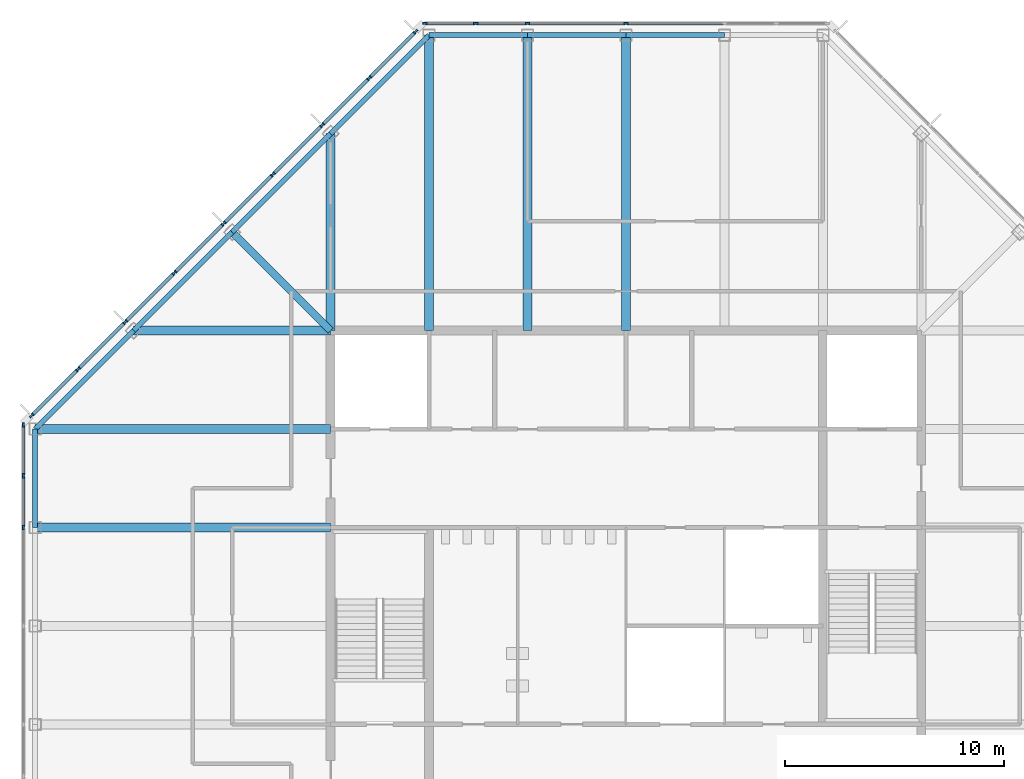
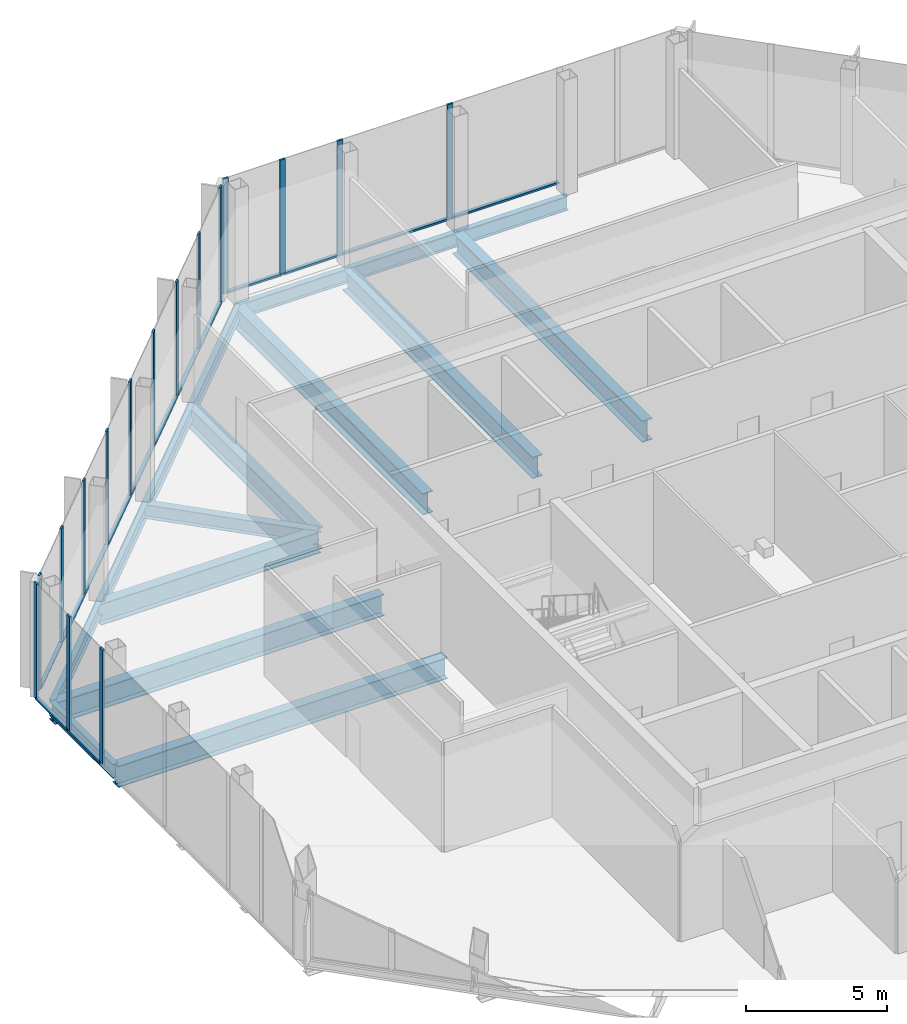
# One storey, part 4 of 11: 30 members, 16 beams, 3 elements without a shape of their own.
"""IFC4 building model written with IfcOpenShell, lengths in metres."""

from ifc_helpers import new_model, si_unit, direction, frame, origin, origin_2d, place, context, subcontext, project, spatial, rectangle, i_section, extrude, material, material_profile, profile_set, type_object, element, aggregate, save


model = new_model("IFC4")

# Units and contexts
model_context = context("Model", 3, precision=1e-05, world=origin(), true_north=direction((0.0, 1.0)))
body_context = subcontext(model_context, "Body", "Model", "MODEL_VIEW")
ifc_project = project(units=[si_unit("LENGTHUNIT", "METRE"), si_unit("AREAUNIT", "SQUARE_METRE"), si_unit("VOLUMEUNIT", "CUBIC_METRE"), si_unit("PLANEANGLEUNIT", "RADIAN"), si_unit("MASSUNIT", "GRAM", prefix="KILO")], contexts=[model_context])

# Site, building, storey
site_placement = place(None, origin())
site = spatial("IfcSite", under=ifc_project, at=site_placement, CompositionType="ELEMENT")
building_placement = place(site_placement, origin())
building = spatial("IfcBuilding", under=site, at=building_placement, Name="Corais Broadcast Tower", CompositionType="ELEMENT")
storey_placement = place(building_placement, frame((0.0, 0.0, 315.10009765625)))
storey = spatial("IfcBuildingStorey", under=building, at=storey_placement, Name="L74", CompositionType="ELEMENT", Elevation=315.10009765625)

# Beam
ifc_material_1 = material(Name="Steel ASTM A572 Grade 50", Category="steel")
ifc_material_profile_1 = material_profile(ifc_material_1, i_section(OverallWidth=0.323974609375, OverallDepth=0.611083984375, WebThickness=0.0126953125, FlangeThickness=0.01904296875, at=origin_2d()), Name="W610x155")
ifc_profile_set_1 = profile_set([ifc_material_profile_1], Name="Steel ASTM A572 Grade 50")
beam_type_1 = type_object("IfcBeamType", Name="Corner diagonal W610x155", PredefinedType="BEAM", material=ifc_profile_set_1)
beam_1_placement = place(storey_placement, frame((9.0, 45.0, -0.485595703125), z_axis=(0.707106781187, -0.707106781187, 0.0), x_axis=(0.707106781187, 0.707106781187, 0.0)))
element("IfcBeam", 1, at=beam_1_placement, inside=storey, type_object=beam_type_1, Name="B6 L/5 to K/6", PredefinedType="BEAM", context=body_context, shape_type="SweptSolid", body=[
    extrude(i_section(OverallWidth=0.323974609375, OverallDepth=0.611083984375, WebThickness=0.0126953125, FlangeThickness=0.01904296875, at=origin_2d()), origin(), (0.0, 0.0, 1.0), 6.364013671875),
])

# Curtain wall, members
ifc_material_2 = material(Name="Aluminium and glass", Category="aluminium")
curtain_wall_type = type_object("IfcCurtainWallType", Name="Event hall curtain wall CW6", PredefinedType="NOTDEFINED", material=ifc_material_2)
curtain_wall_1_placement = place(storey_placement, origin())
curtain_wall_1 = element("IfcCurtainWall", 2, at=curtain_wall_1_placement, inside=storey, type_object=curtain_wall_type, Name="CW6 curtain wall L74 2", PredefinedType="NOTDEFINED")
ifc_material_3 = material(Name="Aluminium 6063-T6", Category="aluminium")
ifc_material_profile_2 = material_profile(ifc_material_3, rectangle(XDim=0.080078125, YDim=0.219970703125, at=origin_2d()), Name="Mullion CW6 80x220")
ifc_profile_set_2 = profile_set([ifc_material_profile_2], Name="Aluminium 6063-T6")
member_type_1 = type_object("IfcMemberType", Name="Mullion CW6 80x220", PredefinedType="MULLION", material=ifc_profile_set_2)
member_1_placement = place(storey_placement, frame((-0.550048828125, 31.5, 0.0), z_axis=(0.0, 0.0, 1.0), x_axis=(-1.0, 0.0, 0.0)))
member_1 = element("IfcMember", 3, at=member_1_placement, type_object=member_type_1, Name="CW6 mullion 5", PredefinedType="MULLION", context=body_context, shape_type="SweptSolid", body=[
    extrude(rectangle(XDim=0.080078125, YDim=0.219970703125, at=origin_2d()), origin(), (0.0, 0.0, 1.0), 5.0),
])
member_2_placement = place(storey_placement, frame((-0.550048828125, 33.864013671875, 0.0), z_axis=(0.0, 0.0, 1.0), x_axis=(-1.0, 0.0, 0.0)))
member_2 = element("IfcMember", 4, at=member_2_placement, type_object=member_type_1, Name="CW6 mullion 6", PredefinedType="MULLION", context=body_context, shape_type="SweptSolid", body=[
    extrude(rectangle(XDim=0.080078125, YDim=0.219970703125, at=origin_2d()), origin(), (0.0, 0.0, 1.0), 5.0),
])
member_3_placement = place(storey_placement, frame((-0.550048828125, 36.187744140625, 0.0), z_axis=(0.0, 0.0, 1.0), x_axis=(-1.0, 0.0, 0.0)))
member_3 = element("IfcMember", 5, at=member_3_placement, type_object=member_type_1, Name="CW6 mullion 7", PredefinedType="MULLION", context=body_context, shape_type="SweptSolid", body=[
    extrude(rectangle(XDim=0.080078125, YDim=0.219970703125, at=origin_2d()), origin(), (0.0, 0.0, 1.0), 5.0),
])

curtain_wall_2_placement = place(storey_placement, origin())
curtain_wall_2 = element("IfcCurtainWall", 6, at=curtain_wall_2_placement, inside=storey, type_object=curtain_wall_type, Name="CW6 curtain wall L74 3", PredefinedType="NOTDEFINED")
member_4_placement = place(storey_placement, frame((-0.168212890625, 36.609619140625, 0.0), z_axis=(0.0, 0.0, 1.0), x_axis=(-0.707106781187, 0.707106781187, 0.0)))
member_4 = element("IfcMember", 7, at=member_4_placement, type_object=member_type_1, Name="CW6 mullion 1", PredefinedType="MULLION", context=body_context, shape_type="SweptSolid", body=[
    extrude(rectangle(XDim=0.080078125, YDim=0.219970703125, at=origin_2d()), origin(), (0.0, 0.0, 1.0), 5.0),
])
member_5_placement = place(storey_placement, frame((1.957275390625, 38.735107421875, 0.0), z_axis=(0.0, 0.0, 1.0), x_axis=(-0.707106781187, 0.707106781187, 0.0)))
member_5 = element("IfcMember", 8, at=member_5_placement, type_object=member_type_1, Name="CW6 mullion 2", PredefinedType="MULLION", context=body_context, shape_type="SweptSolid", body=[
    extrude(rectangle(XDim=0.080078125, YDim=0.219970703125, at=origin_2d()), origin(), (0.0, 0.0, 1.0), 5.0),
])
member_6_placement = place(storey_placement, frame((4.111083984375, 40.888916015625, 0.0), z_axis=(0.0, 0.0, 1.0), x_axis=(-0.707106781187, 0.707106781187, 0.0)))
member_6 = element("IfcMember", 9, at=member_6_placement, type_object=member_type_1, Name="CW6 mullion 3", PredefinedType="MULLION", context=body_context, shape_type="SweptSolid", body=[
    extrude(rectangle(XDim=0.080078125, YDim=0.219970703125, at=origin_2d()), origin(), (0.0, 0.0, 1.0), 5.0),
])
member_7_placement = place(storey_placement, frame((6.361083984375, 43.138916015625, 0.0), z_axis=(0.0, 0.0, 1.0), x_axis=(-0.707106781187, 0.707106781187, 0.0)))
member_7 = element("IfcMember", 10, at=member_7_placement, type_object=member_type_1, Name="CW6 mullion 4", PredefinedType="MULLION", context=body_context, shape_type="SweptSolid", body=[
    extrude(rectangle(XDim=0.080078125, YDim=0.219970703125, at=origin_2d()), origin(), (0.0, 0.0, 1.0), 5.0),
])
member_8_placement = place(storey_placement, frame((8.611083984375, 45.388916015625, 0.0), z_axis=(0.0, 0.0, 1.0), x_axis=(-0.707106781187, 0.707106781187, 0.0)))
member_8 = element("IfcMember", 11, at=member_8_placement, type_object=member_type_1, Name="CW6 mullion 5", PredefinedType="MULLION", context=body_context, shape_type="SweptSolid", body=[
    extrude(rectangle(XDim=0.080078125, YDim=0.219970703125, at=origin_2d()), origin(), (0.0, 0.0, 1.0), 5.0),
])
member_9_placement = place(storey_placement, frame((10.861083984375, 47.638916015625, 0.0), z_axis=(0.0, 0.0, 1.0), x_axis=(-0.707106781187, 0.707106781187, 0.0)))
member_9 = element("IfcMember", 12, at=member_9_placement, type_object=member_type_1, Name="CW6 mullion 6", PredefinedType="MULLION", context=body_context, shape_type="SweptSolid", body=[
    extrude(rectangle(XDim=0.080078125, YDim=0.219970703125, at=origin_2d()), origin(), (0.0, 0.0, 1.0), 5.0),
])
member_10_placement = place(storey_placement, frame((13.111083984375, 49.888916015625, 0.0), z_axis=(0.0, 0.0, 1.0), x_axis=(-0.707106781187, 0.707106781187, 0.0)))
member_10 = element("IfcMember", 13, at=member_10_placement, type_object=member_type_1, Name="CW6 mullion 7", PredefinedType="MULLION", context=body_context, shape_type="SweptSolid", body=[
    extrude(rectangle(XDim=0.080078125, YDim=0.219970703125, at=origin_2d()), origin(), (0.0, 0.0, 1.0), 5.0),
])
member_11_placement = place(storey_placement, frame((15.264892578125, 52.042724609375, 0.0), z_axis=(0.0, 0.0, 1.0), x_axis=(-0.707106781187, 0.707106781187, 0.0)))
member_11 = element("IfcMember", 14, at=member_11_placement, type_object=member_type_1, Name="CW6 mullion 8", PredefinedType="MULLION", context=body_context, shape_type="SweptSolid", body=[
    extrude(rectangle(XDim=0.080078125, YDim=0.219970703125, at=origin_2d()), origin(), (0.0, 0.0, 1.0), 5.0),
])
member_12_placement = place(storey_placement, frame((17.390380859375, 54.168212890625, 0.0), z_axis=(0.0, 0.0, 1.0), x_axis=(-0.707106781187, 0.707106781187, 0.0)))
member_12 = element("IfcMember", 15, at=member_12_placement, type_object=member_type_1, Name="CW6 mullion 9", PredefinedType="MULLION", context=body_context, shape_type="SweptSolid", body=[
    extrude(rectangle(XDim=0.080078125, YDim=0.219970703125, at=origin_2d()), origin(), (0.0, 0.0, 1.0), 5.0),
])

curtain_wall_3_placement = place(storey_placement, origin())
curtain_wall_3 = element("IfcCurtainWall", 16, at=curtain_wall_3_placement, inside=storey, type_object=curtain_wall_type, Name="CW6 curtain wall L74 4", PredefinedType="NOTDEFINED")
member_13_placement = place(storey_placement, frame((17.812255859375, 54.550048828125, 0.0), z_axis=(0.0, 0.0, 1.0), x_axis=(0.0, 1.0, 0.0)))
member_13 = element("IfcMember", 17, at=member_13_placement, type_object=member_type_1, Name="CW6 mullion 1", PredefinedType="MULLION", context=body_context, shape_type="SweptSolid", body=[
    extrude(rectangle(XDim=0.080078125, YDim=0.219970703125, at=origin_2d()), origin(), (0.0, 0.0, 1.0), 5.0),
])
member_14_placement = place(storey_placement, frame((20.135986328125, 54.550048828125, 0.0), z_axis=(0.0, 0.0, 1.0), x_axis=(0.0, 1.0, 0.0)))
member_14 = element("IfcMember", 18, at=member_14_placement, type_object=member_type_1, Name="CW6 mullion 2", PredefinedType="MULLION", context=body_context, shape_type="SweptSolid", body=[
    extrude(rectangle(XDim=0.080078125, YDim=0.219970703125, at=origin_2d()), origin(), (0.0, 0.0, 1.0), 5.0),
])
member_15_placement = place(storey_placement, frame((22.5, 54.550048828125, 0.0), z_axis=(0.0, 0.0, 1.0), x_axis=(0.0, 1.0, 0.0)))
member_15 = element("IfcMember", 19, at=member_15_placement, type_object=member_type_1, Name="CW6 mullion 3", PredefinedType="MULLION", context=body_context, shape_type="SweptSolid", body=[
    extrude(rectangle(XDim=0.080078125, YDim=0.219970703125, at=origin_2d()), origin(), (0.0, 0.0, 1.0), 5.0),
])
member_16_placement = place(storey_placement, frame((27.0, 54.550048828125, 0.0), z_axis=(0.0, 0.0, 1.0), x_axis=(0.0, 1.0, 0.0)))
member_16 = element("IfcMember", 20, at=member_16_placement, type_object=member_type_1, Name="CW6 mullion 4", PredefinedType="MULLION", context=body_context, shape_type="SweptSolid", body=[
    extrude(rectangle(XDim=0.080078125, YDim=0.219970703125, at=origin_2d()), origin(), (0.0, 0.0, 1.0), 5.0),
])

# Beams
ifc_material_4 = material(Name="Steel ASTM A572 Grade 50", Category="steel")
ifc_material_profile_3 = material_profile(ifc_material_4, i_section(OverallWidth=0.408935546875, OverallDepth=0.927001953125, WebThickness=0.0166015625, FlangeThickness=0.030029296875, at=origin_2d()), Name="W920x289")
ifc_profile_set_3 = profile_set([ifc_material_profile_3], Name="Steel ASTM A572 Grade 50")
beam_type_2 = type_object("IfcBeamType", Name="Refuge floor beam W920x289", PredefinedType="BEAM", material=ifc_profile_set_3)
for number, where, z_axis, x_axis, name in (
    (21, (0.0, 31.5, -0.6435546875), (1.0, 0.0, 0.0), (0.0, 1.0, 0.0), "B13 H/3 to H/6"),
    (22, (0.0, 36.0, -0.6435546875), (1.0, 0.0, 0.0), (0.0, 1.0, 0.0), "B13 J/3 to J/6"),
):
    element("IfcBeam", number, at=place(storey_placement, frame(where, z_axis=z_axis, x_axis=x_axis)), inside=storey, type_object=beam_type_2, Name=name, PredefinedType="BEAM", context=body_context, shape_type="SweptSolid", body=[
        extrude(i_section(OverallWidth=0.408935546875, OverallDepth=0.927001953125, WebThickness=0.0166015625, FlangeThickness=0.030029296875, at=origin_2d()), origin(), (0.0, 0.0, 1.0), 13.5),
    ])
beam_2_placement = place(storey_placement, frame((13.5, 49.5, -0.6435546875), z_axis=(0.0, -1.0, 0.0), x_axis=(1.0, 0.0, 0.0)))
element("IfcBeam", 23, at=beam_2_placement, inside=storey, type_object=beam_type_2, Name="B13 M/6 to K/6", PredefinedType="BEAM", context=body_context, shape_type="SweptSolid", body=[
    extrude(i_section(OverallWidth=0.408935546875, OverallDepth=0.927001953125, WebThickness=0.0166015625, FlangeThickness=0.030029296875, at=origin_2d()), origin(), (0.0, 0.0, 1.0), 9.0),
])
for number, where, z_axis, x_axis, name in (
    (24, (18.0, 54.0, -0.6435546875), (0.0, -1.0, 0.0), (1.0, 0.0, 0.0), "B13 N/7 to K/7"),
    (25, (22.5, 54.0, -0.6435546875), (0.0, -1.0, 0.0), (1.0, 0.0, 0.0), "B13 N/8 to K/8"),
    (26, (27.0, 54.0, -0.6435546875), (0.0, -1.0, 0.0), (1.0, 0.0, 0.0), "B13 N/9 to K/9"),
):
    element("IfcBeam", number, at=place(storey_placement, frame(where, z_axis=z_axis, x_axis=x_axis)), inside=storey, type_object=beam_type_2, Name=name, PredefinedType="BEAM", context=body_context, shape_type="SweptSolid", body=[
        extrude(i_section(OverallWidth=0.408935546875, OverallDepth=0.927001953125, WebThickness=0.0166015625, FlangeThickness=0.030029296875, at=origin_2d()), origin(), (0.0, 0.0, 1.0), 13.5),
    ])
beam_3_placement = place(storey_placement, frame((4.5, 40.5, -0.6435546875), z_axis=(1.0, 0.0, 0.0), x_axis=(0.0, 1.0, 0.0)))
element("IfcBeam", 27, at=beam_3_placement, inside=storey, type_object=beam_type_2, Name="B13 K/4 to K/6", PredefinedType="BEAM", context=body_context, shape_type="SweptSolid", body=[
    extrude(i_section(OverallWidth=0.408935546875, OverallDepth=0.927001953125, WebThickness=0.0166015625, FlangeThickness=0.030029296875, at=origin_2d()), origin(), (0.0, 0.0, 1.0), 9.0),
])
ifc_material_5 = material(Name="Steel ASTM A572 Grade 50", Category="steel")
ifc_material_profile_4 = material_profile(ifc_material_5, i_section(OverallWidth=0.22998046875, OverallDepth=0.616943359375, WebThickness=0.01318359375, FlangeThickness=0.022216796875, at=origin_2d()), Name="W610x140")
ifc_profile_set_4 = profile_set([ifc_material_profile_4], Name="Steel ASTM A572 Grade 50")
beam_type_3 = type_object("IfcBeamType", Name="Spandrel W610x140", PredefinedType="BEAM", material=ifc_profile_set_4)
beam_4_placement = place(storey_placement, frame((0.0, 36.0, -0.488525390625), z_axis=(0.0, -1.0, 0.0), x_axis=(1.0, 0.0, 0.0)))
element("IfcBeam", 28, at=beam_4_placement, inside=storey, type_object=beam_type_3, Name="SB3 J/3 to H/3", PredefinedType="BEAM", context=body_context, shape_type="SweptSolid", body=[
    extrude(i_section(OverallWidth=0.22998046875, OverallDepth=0.616943359375, WebThickness=0.01318359375, FlangeThickness=0.022216796875, at=origin_2d()), origin(), (0.0, 0.0, 1.0), 4.5),
])
for number, where, z_axis, x_axis, name in (
    (29, (13.5, 49.5, -0.488525390625), (-0.707106781187, -0.707106781187, 0.0), (0.707106781187, -0.707106781187, 0.0), "SB3 M/6 to L/5"),
    (30, (18.0, 54.0, -0.488525390625), (-0.707106781187, -0.707106781187, 0.0), (0.707106781187, -0.707106781187, 0.0), "SB3 N/7 to M/6"),
):
    element("IfcBeam", number, at=place(storey_placement, frame(where, z_axis=z_axis, x_axis=x_axis)), inside=storey, type_object=beam_type_3, Name=name, PredefinedType="BEAM", context=body_context, shape_type="SweptSolid", body=[
        extrude(i_section(OverallWidth=0.22998046875, OverallDepth=0.616943359375, WebThickness=0.01318359375, FlangeThickness=0.022216796875, at=origin_2d()), origin(), (0.0, 0.0, 1.0), 6.364013671875),
    ])
for number, where, z_axis, x_axis, name in (
    (31, (22.5, 54.0, -0.488525390625), (-1.0, 0.0, 0.0), (0.0, -1.0, 0.0), "SB3 N/8 to N/7"),
    (32, (27.0, 54.0, -0.488525390625), (-1.0, 0.0, 0.0), (0.0, -1.0, 0.0), "SB3 N/9 to N/8"),
    (33, (31.5, 54.0, -0.488525390625), (-1.0, 0.0, 0.0), (0.0, -1.0, 0.0), "SB3 N/10 to N/9"),
):
    element("IfcBeam", number, at=place(storey_placement, frame(where, z_axis=z_axis, x_axis=x_axis)), inside=storey, type_object=beam_type_3, Name=name, PredefinedType="BEAM", context=body_context, shape_type="SweptSolid", body=[
        extrude(i_section(OverallWidth=0.22998046875, OverallDepth=0.616943359375, WebThickness=0.01318359375, FlangeThickness=0.022216796875, at=origin_2d()), origin(), (0.0, 0.0, 1.0), 4.5),
    ])
for number, where, z_axis, x_axis, name in (
    (34, (4.5, 40.5, -0.488525390625), (-0.707106781187, -0.707106781187, 0.0), (0.707106781187, -0.707106781187, 0.0), "SB3 K/4 to J/3"),
    (35, (9.0, 45.0, -0.488525390625), (-0.707106781187, -0.707106781187, 0.0), (0.707106781187, -0.707106781187, 0.0), "SB3 L/5 to K/4"),
):
    element("IfcBeam", number, at=place(storey_placement, frame(where, z_axis=z_axis, x_axis=x_axis)), inside=storey, type_object=beam_type_3, Name=name, PredefinedType="BEAM", context=body_context, shape_type="SweptSolid", body=[
        extrude(i_section(OverallWidth=0.22998046875, OverallDepth=0.616943359375, WebThickness=0.01318359375, FlangeThickness=0.022216796875, at=origin_2d()), origin(), (0.0, 0.0, 1.0), 6.364013671875),
    ])

# Member
ifc_material_6 = material(Name="Aluminium 6063-T6", Category="aluminium")
ifc_material_profile_5 = material_profile(ifc_material_6, rectangle(XDim=0.14990234375, YDim=0.080078125, at=origin_2d()), Name="Transom CW6 80x150")
ifc_profile_set_5 = profile_set([ifc_material_profile_5], Name="Aluminium 6063-T6")
member_type_2 = type_object("IfcMemberType", Name="Transom CW6 80x150", PredefinedType="USERDEFINED", material=ifc_profile_set_5)
member_17_placement = place(storey_placement, frame((-0.550048828125, 31.5400390625, 0.039794921875), z_axis=(0.0, 1.0, 0.0), x_axis=(-1.0, 0.0, 0.0)))
member_17 = element("IfcMember", 36, at=member_17_placement, type_object=member_type_2, Name="CW6 transom 5.1", ObjectType="TRANSOM", PredefinedType="USERDEFINED", context=body_context, shape_type="SweptSolid", body=[
    extrude(rectangle(XDim=0.14990234375, YDim=0.080078125, at=origin_2d()), origin(), (0.0, 0.0, 1.0), 2.283935546875),
])

member_18_placement = place(storey_placement, frame((-0.550048828125, 33.90380859375, 0.039794921875), z_axis=(0.0, 1.0, 0.0), x_axis=(-1.0, 0.0, 0.0)))
member_18 = element("IfcMember", 37, at=member_18_placement, type_object=member_type_2, Name="CW6 transom 6.1", ObjectType="TRANSOM", PredefinedType="USERDEFINED", context=body_context, shape_type="SweptSolid", body=[
    extrude(rectangle(XDim=0.14990234375, YDim=0.080078125, at=origin_2d()), origin(), (0.0, 0.0, 1.0), 2.243896484375),
])

aggregate(curtain_wall_1, [member_1, member_2, member_3, member_17, member_18])

member_19_placement = place(storey_placement, frame((-0.139892578125, 36.637939453125, 0.039794921875), z_axis=(0.707106781187, 0.707106781187, 0.0), x_axis=(-0.707106781187, 0.707106781187, 0.0)))
member_19 = element("IfcMember", 38, at=member_19_placement, type_object=member_type_2, Name="CW6 transom 1.1", ObjectType="TRANSOM", PredefinedType="USERDEFINED", context=body_context, shape_type="SweptSolid", body=[
    extrude(rectangle(XDim=0.14990234375, YDim=0.080078125, at=origin_2d()), origin(), (0.0, 0.0, 1.0), 2.92578125),
])

member_20_placement = place(storey_placement, frame((1.985595703125, 38.763427734375, 0.039794921875), z_axis=(0.707106781187, 0.707106781187, 0.0), x_axis=(-0.707106781187, 0.707106781187, 0.0)))
member_20 = element("IfcMember", 39, at=member_20_placement, type_object=member_type_2, Name="CW6 transom 2.1", ObjectType="TRANSOM", PredefinedType="USERDEFINED", context=body_context, shape_type="SweptSolid", body=[
    extrude(rectangle(XDim=0.14990234375, YDim=0.080078125, at=origin_2d()), origin(), (0.0, 0.0, 1.0), 2.9658203125),
])

member_21_placement = place(storey_placement, frame((4.139404296875, 40.917236328125, 0.039794921875), z_axis=(0.707106781187, 0.707106781187, 0.0), x_axis=(-0.707106781187, 0.707106781187, 0.0)))
member_21 = element("IfcMember", 40, at=member_21_placement, type_object=member_type_2, Name="CW6 transom 3.1", ObjectType="TRANSOM", PredefinedType="USERDEFINED", context=body_context, shape_type="SweptSolid", body=[
    extrude(rectangle(XDim=0.14990234375, YDim=0.080078125, at=origin_2d()), origin(), (0.0, 0.0, 1.0), 3.101806640625),
])

member_22_placement = place(storey_placement, frame((6.389404296875, 43.167236328125, 0.039794921875), z_axis=(0.707106781187, 0.707106781187, 0.0), x_axis=(-0.707106781187, 0.707106781187, 0.0)))
member_22 = element("IfcMember", 41, at=member_22_placement, type_object=member_type_2, Name="CW6 transom 4.1", ObjectType="TRANSOM", PredefinedType="USERDEFINED", context=body_context, shape_type="SweptSolid", body=[
    extrude(rectangle(XDim=0.14990234375, YDim=0.080078125, at=origin_2d()), origin(), (0.0, 0.0, 1.0), 3.101806640625),
])

member_23_placement = place(storey_placement, frame((8.639404296875, 45.417236328125, 0.039794921875), z_axis=(0.707106781187, 0.707106781187, 0.0), x_axis=(-0.707106781187, 0.707106781187, 0.0)))
member_23 = element("IfcMember", 42, at=member_23_placement, type_object=member_type_2, Name="CW6 transom 5.1", ObjectType="TRANSOM", PredefinedType="USERDEFINED", context=body_context, shape_type="SweptSolid", body=[
    extrude(rectangle(XDim=0.14990234375, YDim=0.080078125, at=origin_2d()), origin(), (0.0, 0.0, 1.0), 3.101806640625),
])

member_24_placement = place(storey_placement, frame((10.889404296875, 47.667236328125, 0.039794921875), z_axis=(0.707106781187, 0.707106781187, 0.0), x_axis=(-0.707106781187, 0.707106781187, 0.0)))
member_24 = element("IfcMember", 43, at=member_24_placement, type_object=member_type_2, Name="CW6 transom 6.1", ObjectType="TRANSOM", PredefinedType="USERDEFINED", context=body_context, shape_type="SweptSolid", body=[
    extrude(rectangle(XDim=0.14990234375, YDim=0.080078125, at=origin_2d()), origin(), (0.0, 0.0, 1.0), 3.101806640625),
])

member_25_placement = place(storey_placement, frame((13.139404296875, 49.917236328125, 0.039794921875), z_axis=(0.707106781187, 0.707106781187, 0.0), x_axis=(-0.707106781187, 0.707106781187, 0.0)))
member_25 = element("IfcMember", 44, at=member_25_placement, type_object=member_type_2, Name="CW6 transom 7.1", ObjectType="TRANSOM", PredefinedType="USERDEFINED", context=body_context, shape_type="SweptSolid", body=[
    extrude(rectangle(XDim=0.14990234375, YDim=0.080078125, at=origin_2d()), origin(), (0.0, 0.0, 1.0), 2.9658203125),
])

member_26_placement = place(storey_placement, frame((15.293212890625, 52.07080078125, 0.039794921875), z_axis=(0.70706506028, 0.707148499631, 0.0), x_axis=(-0.707148499631, 0.70706506028, 0.0)))
member_26 = element("IfcMember", 45, at=member_26_placement, type_object=member_type_2, Name="CW6 transom 8.1", ObjectType="TRANSOM", PredefinedType="USERDEFINED", context=body_context, shape_type="SweptSolid", body=[
    extrude(rectangle(XDim=0.14990234375, YDim=0.080078125, at=origin_2d()), origin(), (0.0, 0.0, 1.0), 2.926025390625),
])

aggregate(curtain_wall_2, [member_4, member_5, member_6, member_7, member_8, member_9, member_10, member_11, member_12, member_19, member_20, member_21, member_22, member_23, member_24, member_25, member_26])

member_27_placement = place(storey_placement, frame((17.852294921875, 54.550048828125, 0.039794921875), z_axis=(1.0, 0.0, 0.0), x_axis=(0.0, 1.0, 0.0)))
member_27 = element("IfcMember", 46, at=member_27_placement, type_object=member_type_2, Name="CW6 transom 1.1", ObjectType="TRANSOM", PredefinedType="USERDEFINED", context=body_context, shape_type="SweptSolid", body=[
    extrude(rectangle(XDim=0.14990234375, YDim=0.080078125, at=origin_2d()), origin(), (0.0, 0.0, 1.0), 2.243896484375),
])

member_28_placement = place(storey_placement, frame((20.176025390625, 54.550048828125, 0.039794921875), z_axis=(1.0, 0.0, 0.0), x_axis=(0.0, 1.0, 0.0)))
member_28 = element("IfcMember", 47, at=member_28_placement, type_object=member_type_2, Name="CW6 transom 2.1", ObjectType="TRANSOM", PredefinedType="USERDEFINED", context=body_context, shape_type="SweptSolid", body=[
    extrude(rectangle(XDim=0.14990234375, YDim=0.080078125, at=origin_2d()), origin(), (0.0, 0.0, 1.0), 2.283935546875),
])

member_29_placement = place(storey_placement, frame((22.5400390625, 54.550048828125, 0.039794921875), z_axis=(1.0, 0.0, 0.0), x_axis=(0.0, 1.0, 0.0)))
member_29 = element("IfcMember", 48, at=member_29_placement, type_object=member_type_2, Name="CW6 transom 3.1", ObjectType="TRANSOM", PredefinedType="USERDEFINED", context=body_context, shape_type="SweptSolid", body=[
    extrude(rectangle(XDim=0.14990234375, YDim=0.080078125, at=origin_2d()), origin(), (0.0, 0.0, 1.0), 4.419921875),
])

member_30_placement = place(storey_placement, frame((27.0400390625, 54.550048828125, 0.039794921875), z_axis=(1.0, 0.0, 0.0), x_axis=(0.0, 1.0, 0.0)))
member_30 = element("IfcMember", 49, at=member_30_placement, type_object=member_type_2, Name="CW6 transom 4.1", ObjectType="TRANSOM", PredefinedType="USERDEFINED", context=body_context, shape_type="SweptSolid", body=[
    extrude(rectangle(XDim=0.14990234375, YDim=0.080078125, at=origin_2d()), origin(), (0.0, 0.0, 1.0), 4.419921875),
])

aggregate(curtain_wall_3, [member_13, member_14, member_15, member_16, member_27, member_28, member_29, member_30])

save(model, "model.ifc")
